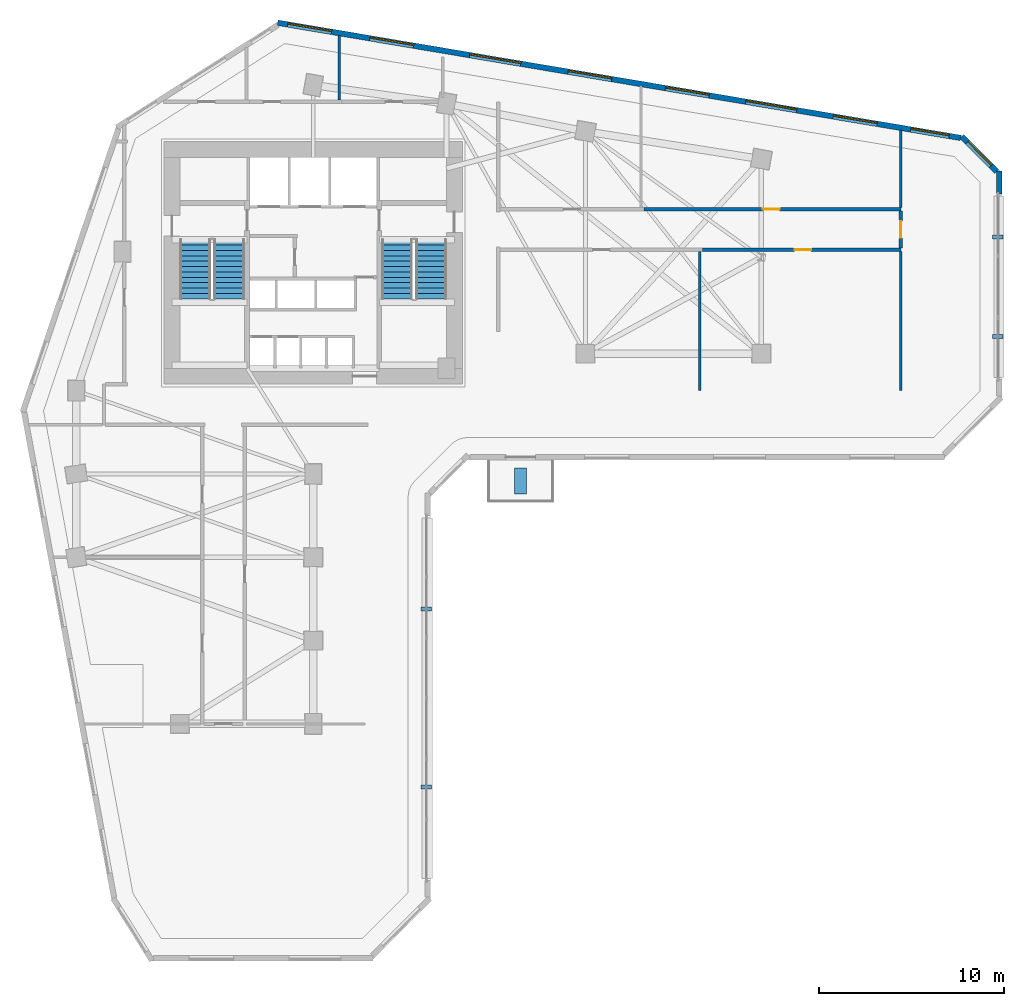
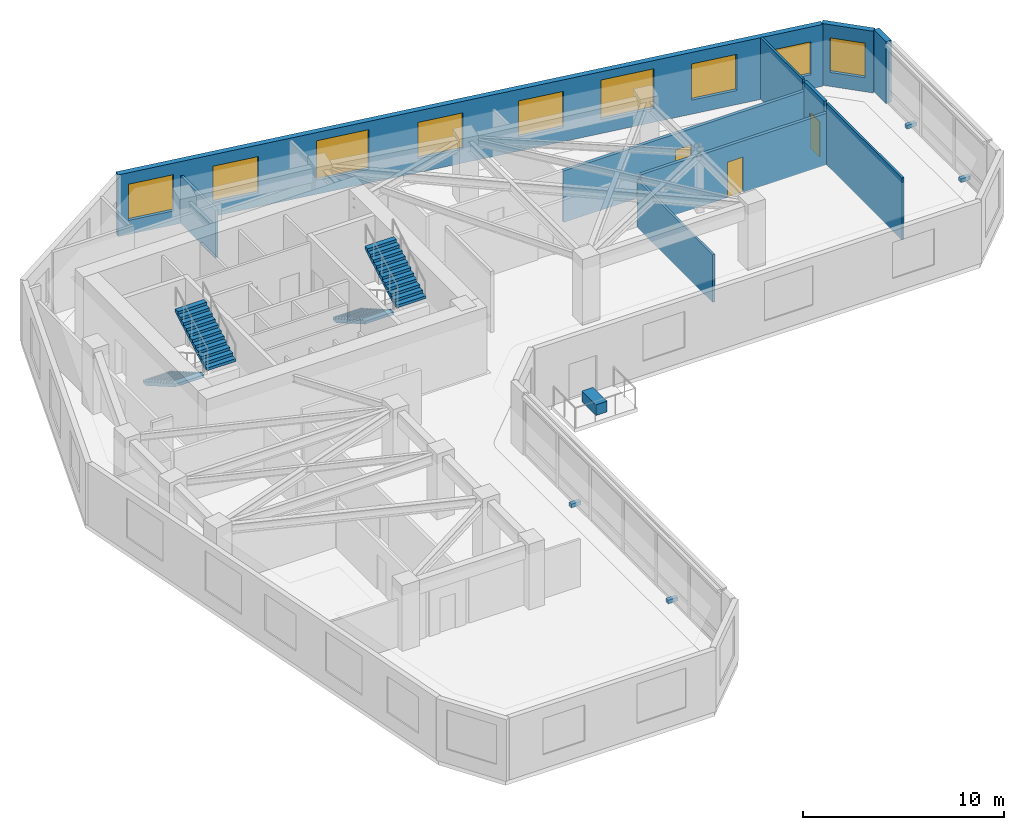
# One storey, part 9 of 12: 10 walls, 9 windows, 5 discrete accessories, 4 stair flights, 3 doors, 12 openings, 2 elements without a shape of their own.
"""IFC4 building model written with IfcOpenShell, lengths in metres."""

from ifc_helpers import new_model, si_unit, direction, frame, frame_2d, origin, origin_2d, place, context, subcontext, project, spatial, polyline, rectangle, outline, extrude, source, transform, mapped, material, layer, layer_set, type_object, element, fill, aggregate, save


model = new_model("IFC4")

# Units and contexts
model_context = context("Model", 3, precision=1e-05, world=origin(), true_north=direction((0.0, 1.0)))
body_context = subcontext(model_context, "Body", "Model", "MODEL_VIEW")
ifc_project = project(units=[si_unit("LENGTHUNIT", "METRE"), si_unit("AREAUNIT", "SQUARE_METRE"), si_unit("VOLUMEUNIT", "CUBIC_METRE"), si_unit("PLANEANGLEUNIT", "RADIAN"), si_unit("MASSUNIT", "GRAM", prefix="KILO")], contexts=[model_context])

# Site, building, storey
site_placement = place(None, origin())
site = spatial("IfcSite", under=ifc_project, at=site_placement, CompositionType="ELEMENT")
building_placement = place(site_placement, origin())
building = spatial("IfcBuilding", under=site, at=building_placement, Name="Calvemar Wedge Station Tower", CompositionType="ELEMENT")
storey_placement = place(building_placement, frame((0.0, 0.0, 39.0)))
storey = spatial("IfcBuildingStorey", under=building, at=storey_placement, Name="L09", CompositionType="ELEMENT", Elevation=39.0)

# Wall, opening, door
ifc_material_1 = material(Name="Double-stud fire-rated corridor partition")
ifc_layer_1 = layer(ifc_material_1, 0.179931640625)
ifc_layer_set_1 = layer_set([ifc_layer_1], Name="Double-stud fire-rated corridor partition")
wall_type_1 = type_object("IfcWallType", Name="W-CORR-180", PredefinedType="PARTITIONING", material=ifc_layer_set_1)
wall_1_placement = place(storey_placement, frame((55.534912109375, 40.60009765625, 0.0), z_axis=(0.0, 0.0, 1.0), x_axis=(-1.0, 0.0, 0.0)))
wall_1 = element("IfcWall", 1, at=wall_1_placement, inside=storey, type_object=wall_type_1, Name="Storey L09 Interior Partition WL-L09-020", PredefinedType="PARTITIONING", context=body_context, shape_type="SweptSolid", body=[
    extrude(rectangle(XDim=10.705810546875, YDim=0.179931640625, at=frame_2d((5.35302734375, 0.0))), origin(), (0.0, 0.0, 1.0), 3.125),
])
shared_shape_1 = source(origin(), body_context, "Body", "SweptSolid", [
    extrude(rectangle(XDim=0.89990234375, YDim=2.14990234375, at=frame_2d((0.449951171875, 1.074951171875))), frame((0.0, 0.10009765625, 0.0), z_axis=(0.0, -1.0, 0.0), x_axis=(1.0, 0.0, 0.0)), (0.0, 0.0, 1.0), 0.199951171875),
])
opening_1_placement = place(wall_1_placement, frame((4.843017578125, 0.0, 0.0)))
opening_1 = element("IfcOpeningElement", 2, at=opening_1_placement, cuts=wall_1, Name="Opening D-01", PredefinedType="OPENING", context=body_context, shape_type="MappedRepresentation", body=[
    mapped(shared_shape_1, transform((0.0, 0.0, 0.0), scale=1.0)),
])
ifc_material_2 = material(Name="Architectural hardwood acoustic swing door", Category="wood")
door_type = type_object("IfcDoorType", Name="DR-INT-900", OperationType="NOTDEFINED", PredefinedType="DOOR", material=ifc_material_2)
shared_shape_2 = source(origin(), body_context, "Body", "SweptSolid", [
    extrude(rectangle(XDim=0.89990234375, YDim=2.14990234375, at=frame_2d((0.449951171875, 1.074951171875))), frame((0.0, 0.02490234375, 0.0), z_axis=(0.0, -1.0, 0.0), x_axis=(1.0, 0.0, 0.0)), (0.0, 0.0, 1.0), 0.050048828125),
])
door_1_placement = place(opening_1_placement, origin())
door_1 = element("IfcDoor", 3, at=door_1_placement, inside=storey, type_object=door_type, Name="L09 Meeting Room Door", OperationType="SINGLE_SWING_RIGHT", OverallHeight=2.14990234375, OverallWidth=0.89990234375, PredefinedType="DOOR", context=body_context, shape_type="MappedRepresentation", body=[
    mapped(shared_shape_2, transform((0.0, 0.0, 0.0), scale=1.0)),
])
fill(opening_1, door_1)

wall_2_placement = place(storey_placement, frame((41.662109375, 42.800048828125, 0.0), z_axis=(0.0, 0.0, 1.0), x_axis=(1.0, 0.0, 0.0)))
wall_2 = element("IfcWall", 4, at=wall_2_placement, inside=storey, type_object=wall_type_1, Name="Storey L09 Interior Partition WL-L09-022", PredefinedType="PARTITIONING", context=body_context, shape_type="SweptSolid", body=[
    extrude(rectangle(XDim=13.872802734375, YDim=0.179931640625, at=frame_2d((6.9365234375, 0.0))), origin(), (0.0, 0.0, 1.0), 3.125),
])
opening_2_placement = place(wall_2_placement, frame((6.42626953125, 0.0, 0.0)))
opening_2 = element("IfcOpeningElement", 5, at=opening_2_placement, cuts=wall_2, Name="Opening D-01", PredefinedType="OPENING", context=body_context, shape_type="MappedRepresentation", body=[
    mapped(shared_shape_1, transform((0.0, 0.0, 0.0), scale=1.0)),
])
door_2_placement = place(opening_2_placement, origin())
door_2 = element("IfcDoor", 6, at=door_2_placement, inside=storey, type_object=door_type, Name="L09 Co-Working Studio Door", OperationType="SINGLE_SWING_RIGHT", OverallHeight=2.14990234375, OverallWidth=0.89990234375, PredefinedType="DOOR", context=body_context, shape_type="MappedRepresentation", body=[
    mapped(shared_shape_2, transform((0.0, 0.0, 0.0), scale=1.0)),
])
fill(opening_2, door_2)

wall_3_placement = place(storey_placement, frame((55.534912109375, 42.7060546875, 0.0), z_axis=(0.0, 0.0, 1.0), x_axis=(0.0, -1.0, 0.0)))
wall_3 = element("IfcWall", 7, at=wall_3_placement, inside=storey, type_object=wall_type_1, Name="Storey L09 Interior Partition WL-L09-023", PredefinedType="PARTITIONING", context=body_context, shape_type="SweptSolid", body=[
    extrude(rectangle(XDim=2.011962890625, YDim=0.179931640625, at=frame_2d((1.005859375, 0.0))), origin(), (0.0, 0.0, 1.0), 3.75),
])
opening_3_placement = place(wall_3_placement, frame((0.555908203125, 0.0, 0.0)))
opening_3 = element("IfcOpeningElement", 8, at=opening_3_placement, cuts=wall_3, Name="Opening D-01", PredefinedType="OPENING", context=body_context, shape_type="MappedRepresentation", body=[
    mapped(shared_shape_1, transform((0.0, 0.0, 0.0), scale=1.0)),
])
door_3_placement = place(opening_3_placement, origin())
door_3 = element("IfcDoor", 9, at=door_3_placement, inside=storey, type_object=door_type, Name="L09 Staff Lounge Door", OperationType="SINGLE_SWING_LEFT", OverallHeight=2.14990234375, OverallWidth=0.89990234375, PredefinedType="DOOR", context=body_context, shape_type="MappedRepresentation", body=[
    mapped(shared_shape_2, transform((0.0, 0.0, 0.0), scale=1.0)),
])
fill(opening_3, door_3)

# Wall
ifc_material_3 = material(Name="Precast concrete C45", Category="concrete")
ifc_layer_2 = layer(ifc_material_3, 0.300048828125)
ifc_layer_set_2 = layer_set([ifc_layer_2], Name="Precast concrete C45")
wall_type_2 = type_object("IfcWallType", Name="W-EXT-GFRC-300", PredefinedType="SOLIDWALL", material=ifc_layer_set_2)
wall_4_placement = place(storey_placement, frame((60.85009765625, 43.622802734375, 0.0), z_axis=(0.0, 0.0, 1.0), x_axis=(0.0, 1.0, 0.0)))
element("IfcWall", 10, at=wall_4_placement, inside=storey, type_object=wall_type_2, Name="Storey L09 Bronze GFRC Corner Pier 8B", PredefinedType="SOLIDWALL", context=body_context, shape_type="SweptSolid", body=[
    extrude(rectangle(XDim=1.22509765625, YDim=0.300048828125, at=frame_2d((0.612548828125, 0.0))), origin(), (0.0, 0.0, 1.0), 3.75),
])

# Wall, opening, window
wall_5_placement = place(storey_placement, frame((60.7119140625, 44.8359375, 0.0), z_axis=(0.0, 0.0, 1.0), x_axis=(-0.707106781187, 0.707106781187, 0.0)))
wall_5 = element("IfcWall", 11, at=wall_5_placement, inside=storey, type_object=wall_type_2, Name="Storey L09 Bronze GFRC Exterior Wall 9", PredefinedType="SOLIDWALL", context=body_context, shape_type="SweptSolid", body=[
    extrude(rectangle(XDim=2.673095703125, YDim=0.300048828125, at=frame_2d((1.33642578125, 0.0))), origin(), (0.0, 0.0, 1.0), 3.75),
])
shared_shape_3 = source(origin(), body_context, "Body", "SweptSolid", [
    extrude(rectangle(XDim=1.800048828125, YDim=2.10009765625, at=frame_2d((0.89990234375, 1.050048828125))), frame((0.0, 0.16015625, 0.0), z_axis=(0.0, -1.0, 0.0), x_axis=(1.0, 0.0, 0.0)), (0.0, 0.0, 1.0), 0.320068359375),
])
opening_4_placement = place(wall_5_placement, frame((0.43701171875, 0.0, 0.85009765625)))
opening_4 = element("IfcOpeningElement", 12, at=opening_4_placement, cuts=wall_5, Name="Opening W2", PredefinedType="OPENING", context=body_context, shape_type="MappedRepresentation", body=[
    mapped(shared_shape_3, transform((0.0, 0.0, 0.0), scale=1.0)),
])
ifc_material_4 = material(Name="Low-E laminated insulated glass", Category="glass")
window_type_1 = type_object("IfcWindowType", Name="WIN-EXT-2", PartitioningType="SINGLE_PANEL", PredefinedType="WINDOW", material=ifc_material_4)
shared_shape_4 = source(origin(), body_context, "Body", "SweptSolid", [
    extrude(rectangle(XDim=1.800048828125, YDim=2.10009765625, at=frame_2d((0.89990234375, 1.050048828125))), frame((0.0, -0.014892578125, 0.0), z_axis=(0.0, -1.0, 0.0), x_axis=(1.0, 0.0, 0.0)), (0.0, 0.0, 1.0), 0.06005859375),
])
window_1_placement = place(opening_4_placement, origin())
window_1 = element("IfcWindow", 13, at=window_1_placement, inside=storey, type_object=window_type_1, Name="Storey L09 Recessed Window 9.1", OverallHeight=2.10009765625, OverallWidth=1.800048828125, PartitioningType="SINGLE_PANEL", PredefinedType="WINDOW", context=body_context, shape_type="MappedRepresentation", body=[
    mapped(shared_shape_4, transform((0.0, 0.0, 0.0), scale=1.0)),
])
fill(opening_4, window_1)

# Wall, openings, windows
wall_6_placement = place(storey_placement, frame((58.7607421875, 46.648193359375, 0.0), z_axis=(0.0, 0.0, 1.0), x_axis=(-0.98607502735, 0.166301053624, 0.0)))
wall_6 = element("IfcWall", 14, at=wall_6_placement, inside=storey, type_object=wall_type_2, Name="Storey L09 Bronze GFRC Exterior Wall 10", PredefinedType="SOLIDWALL", context=body_context, shape_type="SweptSolid", body=[
    extrude(rectangle(XDim=37.3974609375, YDim=0.300048828125, at=frame_2d((18.69873046875, 0.0))), origin(), (0.0, 0.0, 1.0), 3.75),
])
shared_shape_5 = source(origin(), body_context, "Body", "SweptSolid", [
    extrude(rectangle(XDim=2.10009765625, YDim=2.0, at=frame_2d((1.050048828125, 1.0))), frame((0.0, 0.16015625, 0.0), z_axis=(0.0, -1.0, 0.0), x_axis=(1.0, 0.0, 0.0)), (0.0, 0.0, 1.0), 0.320068359375),
])
opening_5_placement = place(wall_6_placement, frame((0.6259765625, 0.0, 0.85009765625)))
opening_5 = element("IfcOpeningElement", 15, at=opening_5_placement, cuts=wall_6, Name="Opening W4", PredefinedType="OPENING", context=body_context, shape_type="MappedRepresentation", body=[
    mapped(shared_shape_5, transform((0.0, 0.0, 0.0), scale=1.0)),
])
shared_shape_6 = source(origin(), body_context, "Body", "SweptSolid", [
    extrude(rectangle(XDim=2.39990234375, YDim=2.199951171875, at=frame_2d((1.199951171875, 1.10009765625))), frame((0.0, 0.16015625, 0.0), z_axis=(0.0, -1.0, 0.0), x_axis=(1.0, 0.0, 0.0)), (0.0, 0.0, 1.0), 0.320068359375),
])
opening_6_placement = place(wall_6_placement, frame((4.571044921875, 0.0, 0.85009765625)))
opening_6 = element("IfcOpeningElement", 16, at=opening_6_placement, cuts=wall_6, Name="Opening W1", PredefinedType="OPENING", context=body_context, shape_type="MappedRepresentation", body=[
    mapped(shared_shape_6, transform((0.0, 0.0, 0.0), scale=1.0)),
])
shared_shape_7 = source(origin(), body_context, "Body", "SweptSolid", [
    extrude(rectangle(XDim=2.800048828125, YDim=2.39990234375, at=frame_2d((1.39990234375, 1.199951171875))), frame((0.0, 0.16015625, 0.0), z_axis=(0.0, -1.0, 0.0), x_axis=(1.0, 0.0, 0.0)), (0.0, 0.0, 1.0), 0.320068359375),
])
opening_7_placement = place(wall_6_placement, frame((8.968994140625, 0.0, 0.85009765625)))
opening_7 = element("IfcOpeningElement", 17, at=opening_7_placement, cuts=wall_6, Name="Opening W6", PredefinedType="OPENING", context=body_context, shape_type="MappedRepresentation", body=[
    mapped(shared_shape_7, transform((0.0, 0.0, 0.0), scale=1.0)),
])
opening_8_placement = place(wall_6_placement, frame((13.76611328125, 0.0, 0.85009765625)))
opening_8 = element("IfcOpeningElement", 18, at=opening_8_placement, cuts=wall_6, Name="Opening W1", PredefinedType="OPENING", context=body_context, shape_type="MappedRepresentation", body=[
    mapped(shared_shape_6, transform((0.0, 0.0, 0.0), scale=1.0)),
])
opening_9_placement = place(wall_6_placement, frame((19.09912109375, 0.0, 0.85009765625)))
opening_9 = element("IfcOpeningElement", 19, at=opening_9_placement, cuts=wall_6, Name="Opening W1", PredefinedType="OPENING", context=body_context, shape_type="MappedRepresentation", body=[
    mapped(shared_shape_6, transform((0.0, 0.0, 0.0), scale=1.0)),
])
opening_10_placement = place(wall_6_placement, frame((24.0859375, 0.0, 0.85009765625)))
opening_10 = element("IfcOpeningElement", 20, at=opening_10_placement, cuts=wall_6, Name="Opening W6", PredefinedType="OPENING", context=body_context, shape_type="MappedRepresentation", body=[
    mapped(shared_shape_7, transform((0.0, 0.0, 0.0), scale=1.0)),
])
opening_11_placement = place(wall_6_placement, frame((29.95703125, 0.0, 0.85009765625)))
opening_11 = element("IfcOpeningElement", 21, at=opening_11_placement, cuts=wall_6, Name="Opening W1", PredefinedType="OPENING", context=body_context, shape_type="MappedRepresentation", body=[
    mapped(shared_shape_6, transform((0.0, 0.0, 0.0), scale=1.0)),
])
opening_12_placement = place(wall_6_placement, frame((34.4560546875, 0.0, 0.85009765625)))
opening_12 = element("IfcOpeningElement", 22, at=opening_12_placement, cuts=wall_6, Name="Opening W1", PredefinedType="OPENING", context=body_context, shape_type="MappedRepresentation", body=[
    mapped(shared_shape_6, transform((0.0, 0.0, 0.0), scale=1.0)),
])
window_type_2 = type_object("IfcWindowType", Name="WIN-EXT-4", PartitioningType="SINGLE_PANEL", PredefinedType="WINDOW", material=ifc_material_4)
shared_shape_8 = source(origin(), body_context, "Body", "SweptSolid", [
    extrude(rectangle(XDim=2.10009765625, YDim=2.0, at=frame_2d((1.050048828125, 1.0))), frame((0.0, -0.014892578125, 0.0), z_axis=(0.0, -1.0, 0.0), x_axis=(1.0, 0.0, 0.0)), (0.0, 0.0, 1.0), 0.06005859375),
])
window_2_placement = place(opening_5_placement, origin())
window_2 = element("IfcWindow", 23, at=window_2_placement, inside=storey, type_object=window_type_2, Name="Storey L09 Recessed Window 10.1", OverallHeight=2.0, OverallWidth=2.10009765625, PartitioningType="SINGLE_PANEL", PredefinedType="WINDOW", context=body_context, shape_type="MappedRepresentation", body=[
    mapped(shared_shape_8, transform((0.0, 0.0, 0.0), scale=1.0)),
])
fill(opening_5, window_2)
window_type_3 = type_object("IfcWindowType", Name="WIN-EXT-6", PartitioningType="SINGLE_PANEL", PredefinedType="WINDOW", material=ifc_material_4)
shared_shape_9 = source(origin(), body_context, "Body", "SweptSolid", [
    extrude(rectangle(XDim=2.800048828125, YDim=2.39990234375, at=frame_2d((1.39990234375, 1.199951171875))), frame((0.0, -0.014892578125, 0.0), z_axis=(0.0, -1.0, 0.0), x_axis=(1.0, 0.0, 0.0)), (0.0, 0.0, 1.0), 0.06005859375),
])
window_3_placement = place(opening_7_placement, origin())
window_3 = element("IfcWindow", 24, at=window_3_placement, inside=storey, type_object=window_type_3, Name="Storey L09 Recessed Window 10.3", OverallHeight=2.39990234375, OverallWidth=2.800048828125, PartitioningType="SINGLE_PANEL", PredefinedType="WINDOW", context=body_context, shape_type="MappedRepresentation", body=[
    mapped(shared_shape_9, transform((0.0, 0.0, 0.0), scale=1.0)),
])
fill(opening_7, window_3)
window_4_placement = place(opening_10_placement, origin())
window_4 = element("IfcWindow", 25, at=window_4_placement, inside=storey, type_object=window_type_3, Name="Storey L09 Recessed Window 10.6", OverallHeight=2.39990234375, OverallWidth=2.800048828125, PartitioningType="SINGLE_PANEL", PredefinedType="WINDOW", context=body_context, shape_type="MappedRepresentation", body=[
    mapped(shared_shape_9, transform((0.0, 0.0, 0.0), scale=1.0)),
])
fill(opening_10, window_4)
window_type_4 = type_object("IfcWindowType", Name="WIN-EXT-1", PartitioningType="SINGLE_PANEL", PredefinedType="WINDOW", material=ifc_material_4)
shared_shape_10 = source(origin(), body_context, "Body", "SweptSolid", [
    extrude(rectangle(XDim=2.39990234375, YDim=2.199951171875, at=frame_2d((1.199951171875, 1.10009765625))), frame((0.0, -0.014892578125, 0.0), z_axis=(0.0, -1.0, 0.0), x_axis=(1.0, 0.0, 0.0)), (0.0, 0.0, 1.0), 0.06005859375),
])
window_5_placement = place(opening_6_placement, origin())
window_5 = element("IfcWindow", 26, at=window_5_placement, inside=storey, type_object=window_type_4, Name="Storey L09 Recessed Window 10.2", OverallHeight=2.199951171875, OverallWidth=2.39990234375, PartitioningType="SINGLE_PANEL", PredefinedType="WINDOW", context=body_context, shape_type="MappedRepresentation", body=[
    mapped(shared_shape_10, transform((0.0, 0.0, 0.0), scale=1.0)),
])
fill(opening_6, window_5)
window_6_placement = place(opening_8_placement, origin())
window_6 = element("IfcWindow", 27, at=window_6_placement, inside=storey, type_object=window_type_4, Name="Storey L09 Recessed Window 10.4", OverallHeight=2.199951171875, OverallWidth=2.39990234375, PartitioningType="SINGLE_PANEL", PredefinedType="WINDOW", context=body_context, shape_type="MappedRepresentation", body=[
    mapped(shared_shape_10, transform((0.0, 0.0, 0.0), scale=1.0)),
])
fill(opening_8, window_6)
window_7_placement = place(opening_9_placement, origin())
window_7 = element("IfcWindow", 28, at=window_7_placement, inside=storey, type_object=window_type_4, Name="Storey L09 Recessed Window 10.5", OverallHeight=2.199951171875, OverallWidth=2.39990234375, PartitioningType="SINGLE_PANEL", PredefinedType="WINDOW", context=body_context, shape_type="MappedRepresentation", body=[
    mapped(shared_shape_10, transform((0.0, 0.0, 0.0), scale=1.0)),
])
fill(opening_9, window_7)
window_8_placement = place(opening_11_placement, origin())
window_8 = element("IfcWindow", 29, at=window_8_placement, inside=storey, type_object=window_type_4, Name="Storey L09 Recessed Window 10.7", OverallHeight=2.199951171875, OverallWidth=2.39990234375, PartitioningType="SINGLE_PANEL", PredefinedType="WINDOW", context=body_context, shape_type="MappedRepresentation", body=[
    mapped(shared_shape_10, transform((0.0, 0.0, 0.0), scale=1.0)),
])
fill(opening_11, window_8)
window_9_placement = place(opening_12_placement, origin())
window_9 = element("IfcWindow", 30, at=window_9_placement, inside=storey, type_object=window_type_4, Name="Storey L09 Recessed Window 10.8", OverallHeight=2.199951171875, OverallWidth=2.39990234375, PartitioningType="SINGLE_PANEL", PredefinedType="WINDOW", context=body_context, shape_type="MappedRepresentation", body=[
    mapped(shared_shape_10, transform((0.0, 0.0, 0.0), scale=1.0)),
])
fill(opening_12, window_9)

# Walls
ifc_material_5 = material(Name="Insulated acoustic gypsum stud partition")
ifc_layer_3 = layer(ifc_material_5, 0.125)
ifc_layer_set_3 = layer_set([ifc_layer_3], Name="Insulated acoustic gypsum stud partition")
wall_type_3 = type_object("IfcWallType", Name="W-PART-125", PredefinedType="PARTITIONING", material=ifc_layer_set_3)
wall_7_placement = place(storey_placement, frame((44.6669921875, 40.506103515625, 0.0), z_axis=(0.0, 0.0, 1.0), x_axis=(0.0, -1.0, 0.0)))
element("IfcWall", 31, at=wall_7_placement, inside=storey, type_object=wall_type_3, Name="Storey L09 Interior Partition WL-L09-024", PredefinedType="PARTITIONING", context=body_context, shape_type="SweptSolid", body=[
    extrude(rectangle(XDim=7.506103515625, YDim=0.125, at=frame_2d((3.7529296875, 0.0))), origin(), (0.0, 0.0, 1.0), 2.89208984375),
])
wall_8_placement = place(storey_placement, frame((55.534912109375, 40.506103515625, 0.0), z_axis=(0.0, 0.0, 1.0), x_axis=(0.0, -1.0, 0.0)))
element("IfcWall", 32, at=wall_8_placement, inside=storey, type_object=wall_type_3, Name="Storey L09 Interior Partition WL-L09-025", PredefinedType="PARTITIONING", context=body_context, shape_type="SweptSolid", body=[
    extrude(rectangle(XDim=7.506103515625, YDim=0.125, at=frame_2d((3.7529296875, 0.0))), origin(), (0.0, 0.0, 1.0), 3.75),
])
wall_9_placement = place(storey_placement, frame((55.534912109375, 47.07568359375, 0.0), z_axis=(0.0, 0.0, 1.0), x_axis=(0.0, -1.0, 0.0)))
element("IfcWall", 33, at=wall_9_placement, inside=storey, type_object=wall_type_3, Name="Storey L09 Interior Partition WL-L09-027", PredefinedType="PARTITIONING", context=body_context, shape_type="SweptSolid", body=[
    extrude(rectangle(XDim=4.181640625, YDim=0.125, at=frame_2d((2.0908203125, 0.0))), origin(), (0.0, 0.0, 1.0), 3.75),
])
ifc_material_6 = material(Name="Moisture-resistant acoustic bathroom partition")
ifc_layer_4 = layer(ifc_material_6, 0.14990234375)
ifc_layer_set_4 = layer_set([ifc_layer_4], Name="Moisture-resistant acoustic bathroom partition")
wall_type_4 = type_object("IfcWallType", Name="W-WET-150", PredefinedType="PARTITIONING", material=ifc_layer_set_4)
wall_10_placement = place(storey_placement, frame((25.199951171875, 52.191650390625, 0.0), z_axis=(0.0, 0.0, 1.0), x_axis=(0.0, -1.0, 0.0)))
element("IfcWall", 34, at=wall_10_placement, inside=storey, type_object=wall_type_4, Name="Storey L09 Interior Partition WL-L09-018", PredefinedType="PARTITIONING", context=body_context, shape_type="SweptSolid", body=[
    extrude(rectangle(XDim=3.49755859375, YDim=0.14990234375, at=frame_2d((1.748779296875, 0.0))), origin(), (0.0, 0.0, 1.0), 2.89208984375),
])

# Stair, stair flights
ifc_material_7 = material(Name="Concrete C45", Category="concrete")
stair_type = type_object("IfcStairType", Name="ST-TYPE-4000", PredefinedType="HALF_TURN_STAIR", material=ifc_material_7)
stair_1_placement = place(storey_placement, origin())
stair_1 = element("IfcStair", 35, at=stair_1_placement, inside=storey, type_object=stair_type, Name="L09 Pressurized Core Exit Stair ST-C1", PredefinedType="HALF_TURN_STAIR")
stair_flight_type = type_object("IfcStairFlightType", Name="STF-TYPE-4000", PredefinedType="STRAIGHT", material=ifc_material_7)
stair_flight_1_placement = place(storey_placement, frame((17.429931640625, 41.14990234375, 0.0), z_axis=(0.0, 0.0, 1.0), x_axis=(0.0, -1.0, 0.0)))
stair_flight_1 = element("IfcStairFlight", 36, at=stair_flight_1_placement, type_object=stair_flight_type, Name="ST-C1 flight 1", NumberOfRisers=12, NumberOfTreads=11, PredefinedType="STRAIGHT", RiserHeight=0.166666667, TreadLength=0.29, context=body_context, shape_type="SweptSolid", body=[
    extrude(outline(polyline([(0.0, 0.0), (0.0, 0.166748046875), (0.2900390625, 0.166748046875), (0.2900390625, 0.333251953125), (0.580078125, 0.333251953125), (0.580078125, 0.5), (0.8701171875, 0.5), (0.8701171875, 0.666748046875), (1.159912109375, 0.666748046875), (1.159912109375, 0.833251953125), (1.449951171875, 0.833251953125), (1.449951171875, 1.0), (1.739990234375, 1.0), (1.739990234375, 1.166748046875), (2.030029296875, 1.166748046875), (2.030029296875, 1.333251953125), (2.320068359375, 1.333251953125), (2.320068359375, 1.5), (2.610107421875, 1.5), (2.610107421875, 1.666748046875), (2.89990234375, 1.666748046875), (2.89990234375, 1.833251953125), (3.18994140625, 1.833251953125), (3.18994140625, 2.0), (3.18994140625, 1.660400390625), (0.30078125, 0.0), (0.0, 0.0)])), frame((0.0, 0.830078125, 0.0), z_axis=(0.0, -1.0, 0.0), x_axis=(1.0, 0.0, 0.0)), (0.0, 0.0, 1.0), 1.659912109375),
])
stair_flight_2_placement = place(storey_placement, frame((19.27001953125, 37.9599609375, 2.0), z_axis=(0.0, 0.0, 1.0), x_axis=(0.0, 1.0, 0.0)))
stair_flight_2 = element("IfcStairFlight", 37, at=stair_flight_2_placement, type_object=stair_flight_type, Name="ST-C1 flight 2", NumberOfRisers=12, NumberOfTreads=11, PredefinedType="STRAIGHT", RiserHeight=0.166666667, TreadLength=0.29, context=body_context, shape_type="SweptSolid", body=[
    extrude(outline(polyline([(0.0, 0.0), (0.0, 0.166748046875), (0.2900390625, 0.166748046875), (0.2900390625, 0.333251953125), (0.580078125, 0.333251953125), (0.580078125, 0.5), (0.8701171875, 0.5), (0.8701171875, 0.666748046875), (1.159912109375, 0.666748046875), (1.159912109375, 0.833251953125), (1.449951171875, 0.833251953125), (1.449951171875, 1.0), (1.739990234375, 1.0), (1.739990234375, 1.166748046875), (2.030029296875, 1.166748046875), (2.030029296875, 1.333251953125), (2.320068359375, 1.333251953125), (2.320068359375, 1.5), (2.610107421875, 1.5), (2.610107421875, 1.666748046875), (2.89990234375, 1.666748046875), (2.89990234375, 1.833251953125), (3.18994140625, 1.833251953125), (3.18994140625, 2.0), (3.18994140625, 1.660400390625), (0.30078125, 0.0), (0.0, 0.0)])), frame((0.0, 0.830078125, 0.0), z_axis=(0.0, -1.0, 0.0), x_axis=(1.0, 0.0, 0.0)), (0.0, 0.0, 1.0), 1.659912109375),
])
aggregate(stair_1, [stair_flight_1, stair_flight_2])

stair_2_placement = place(storey_placement, origin())
stair_2 = element("IfcStair", 38, at=stair_2_placement, inside=storey, type_object=stair_type, Name="L09 Pressurized Core Exit Stair ST-C2", PredefinedType="HALF_TURN_STAIR")
stair_flight_3_placement = place(storey_placement, frame((28.330078125, 41.14990234375, 0.0), z_axis=(0.0, 0.0, 1.0), x_axis=(0.0, -1.0, 0.0)))
stair_flight_3 = element("IfcStairFlight", 39, at=stair_flight_3_placement, type_object=stair_flight_type, Name="ST-C2 flight 1", NumberOfRisers=12, NumberOfTreads=11, PredefinedType="STRAIGHT", RiserHeight=0.166666667, TreadLength=0.29, context=body_context, shape_type="SweptSolid", body=[
    extrude(outline(polyline([(0.0, 0.0), (0.0, 0.166748046875), (0.2900390625, 0.166748046875), (0.2900390625, 0.333251953125), (0.580078125, 0.333251953125), (0.580078125, 0.5), (0.8701171875, 0.5), (0.8701171875, 0.666748046875), (1.159912109375, 0.666748046875), (1.159912109375, 0.833251953125), (1.449951171875, 0.833251953125), (1.449951171875, 1.0), (1.739990234375, 1.0), (1.739990234375, 1.166748046875), (2.030029296875, 1.166748046875), (2.030029296875, 1.333251953125), (2.320068359375, 1.333251953125), (2.320068359375, 1.5), (2.610107421875, 1.5), (2.610107421875, 1.666748046875), (2.89990234375, 1.666748046875), (2.89990234375, 1.833251953125), (3.18994140625, 1.833251953125), (3.18994140625, 2.0), (3.18994140625, 1.660400390625), (0.30078125, 0.0), (0.0, 0.0)])), frame((0.0, 0.830078125, 0.0), z_axis=(0.0, -1.0, 0.0), x_axis=(1.0, 0.0, 0.0)), (0.0, 0.0, 1.0), 1.659912109375),
])
stair_flight_4_placement = place(storey_placement, frame((30.169921875, 37.9599609375, 2.0), z_axis=(0.0, 0.0, 1.0), x_axis=(0.0, 1.0, 0.0)))
stair_flight_4 = element("IfcStairFlight", 40, at=stair_flight_4_placement, type_object=stair_flight_type, Name="ST-C2 flight 2", NumberOfRisers=12, NumberOfTreads=11, PredefinedType="STRAIGHT", RiserHeight=0.166666667, TreadLength=0.29, context=body_context, shape_type="SweptSolid", body=[
    extrude(outline(polyline([(0.0, 0.0), (0.0, 0.166748046875), (0.2900390625, 0.166748046875), (0.2900390625, 0.333251953125), (0.580078125, 0.333251953125), (0.580078125, 0.5), (0.8701171875, 0.5), (0.8701171875, 0.666748046875), (1.159912109375, 0.666748046875), (1.159912109375, 0.833251953125), (1.449951171875, 0.833251953125), (1.449951171875, 1.0), (1.739990234375, 1.0), (1.739990234375, 1.166748046875), (2.030029296875, 1.166748046875), (2.030029296875, 1.333251953125), (2.320068359375, 1.333251953125), (2.320068359375, 1.5), (2.610107421875, 1.5), (2.610107421875, 1.666748046875), (2.89990234375, 1.666748046875), (2.89990234375, 1.833251953125), (3.18994140625, 1.833251953125), (3.18994140625, 2.0), (3.18994140625, 1.660400390625), (0.30078125, 0.0), (0.0, 0.0)])), frame((0.0, 0.830078125, 0.0), z_axis=(0.0, -1.0, 0.0), x_axis=(1.0, 0.0, 0.0)), (0.0, 0.0, 1.0), 1.659912109375),
])
aggregate(stair_2, [stair_flight_3, stair_flight_4])

# Discrete accessories
ifc_material_8 = material(Name="Stainless steel AISI 316L", Category="steel")
discrete_accessory_type_1 = type_object("IfcDiscreteAccessoryType", Name="BRK-316L", PredefinedType="BRACKET", material=ifc_material_8)
shared_shape_11 = source(origin(), body_context, "Body", "SweptSolid", [
    extrude(rectangle(XDim=0.219970703125, YDim=0.56005859375, at=origin_2d()), origin(), (0.0, 0.0, 1.0), 0.219970703125),
])
for number, where, z_axis, x_axis, name in (
    (41, (29.89794921875, 11.5830078125, 0.0), (0.0, 0.0, 1.0), (0.0, 1.0, 0.0), "Storey L09 Recessed Facade Stainless Bracket 4.1"),
    (42, (29.89794921875, 21.201416015625, 0.0), (0.0, 0.0, 1.0), (0.0, 1.0, 0.0), "Storey L09 Recessed Facade Stainless Bracket 4.2"),
    (43, (60.77001953125, 35.931396484375, 0.0), (0.0, 0.0, 1.0), (0.0, 1.0, 0.0), "Storey L09 Recessed Facade Stainless Bracket 8.1"),
    (44, (60.77001953125, 41.288818359375, 0.0), (0.0, 0.0, 1.0), (0.0, 1.0, 0.0), "Storey L09 Recessed Facade Stainless Bracket 8.2"),
):
    element("IfcDiscreteAccessory", number, at=place(storey_placement, frame(where, z_axis=z_axis, x_axis=x_axis)), inside=storey, type_object=discrete_accessory_type_1, Name=name, PredefinedType="BRACKET", context=body_context, shape_type="MappedRepresentation", body=[
        mapped(shared_shape_11, transform((0.0, 0.0, 0.0), scale=1.0)),
    ])
discrete_accessory_type_2 = type_object("IfcDiscreteAccessoryType", Name="ACC-PLANTER", PredefinedType="USERDEFINED", material=ifc_material_3)
shared_shape_12 = source(origin(), body_context, "Body", "SweptSolid", [
    extrude(rectangle(XDim=0.64990234375, YDim=1.39990234375, at=origin_2d()), origin(), (0.0, 0.0, 1.0), 0.64990234375),
])
discrete_accessory_placement = place(storey_placement, frame((35.0, 28.110107421875, 0.0), z_axis=(0.0, 0.0, 1.0), x_axis=(1.0, 0.0, 0.0)))
element("IfcDiscreteAccessory", 45, at=discrete_accessory_placement, inside=storey, type_object=discrete_accessory_type_2, Name="Storey L09 Planted Terrace GFRC Planter", ObjectType="PLANTER", PredefinedType="USERDEFINED", context=body_context, shape_type="MappedRepresentation", body=[
    mapped(shared_shape_12, transform((0.0, 0.0, 0.0), scale=1.0)),
])

save(model, "model.ifc")
